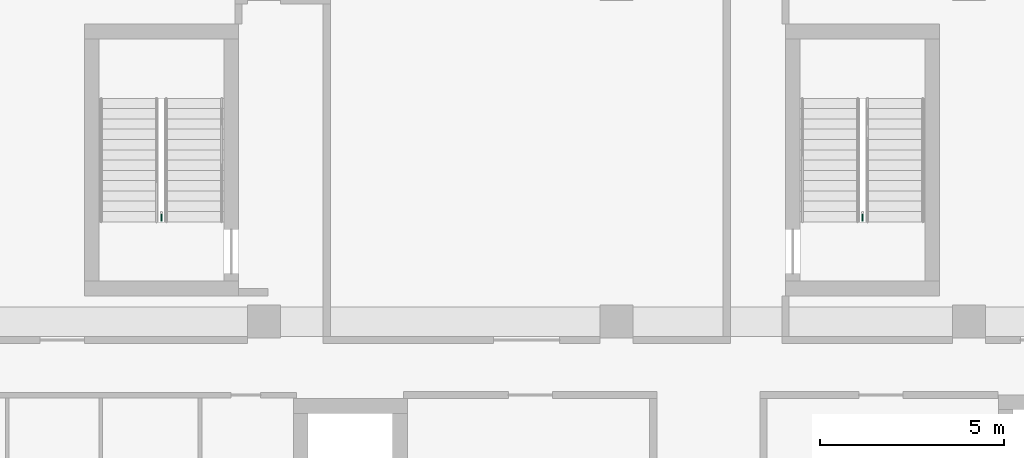
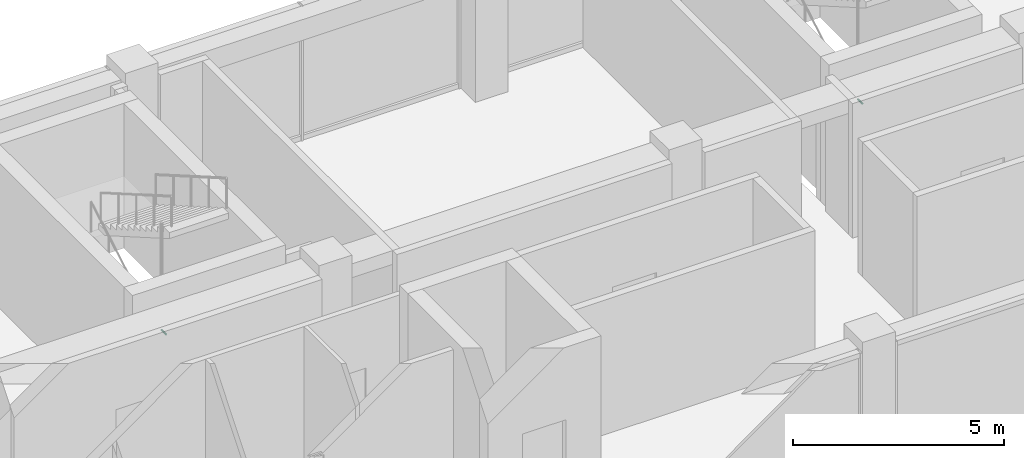
# One storey, part 37 of 37: 2 pipe fittings.
"""IFC4 building model written with IfcOpenShell, lengths in metres."""

from ifc_helpers import new_model, si_unit, direction, frame, origin, origin_2d, place, context, subcontext, project, spatial, circle, extrude, element, save


model = new_model("IFC4")

# Units and contexts
model_context = context("Model", 3, precision=1e-05, world=origin(), true_north=direction((0.0, 1.0)))
body_context = subcontext(model_context, "Body", "Model", "MODEL_VIEW")
ifc_project = project(units=[si_unit("LENGTHUNIT", "METRE"), si_unit("AREAUNIT", "SQUARE_METRE"), si_unit("VOLUMEUNIT", "CUBIC_METRE"), si_unit("PLANEANGLEUNIT", "RADIAN"), si_unit("MASSUNIT", "GRAM", prefix="KILO")], contexts=[model_context])

# Site, building, storey
site_placement = place(None, origin())
site = spatial("IfcSite", under=ifc_project, at=site_placement, CompositionType="ELEMENT")
building_placement = place(site_placement, origin())
building = spatial("IfcBuilding", under=site, at=building_placement, Name="Nzadi Deep Aquarium and Research Tower", CompositionType="ELEMENT")
storey_placement = place(building_placement, frame((0.0, 0.0, 57.10009765625)))
storey = spatial("IfcBuildingStorey", under=building, at=storey_placement, Name="L11", CompositionType="ELEMENT", Elevation=57.10009765625)

# Pipe fittings
for number, where, z_axis, x_axis, name in (
    (1, (6.800048828125, 39.77001953125, 1.099853515625), (0.0, -1.0, 0.0), (1.0, 0.0, 0.0), "Dry riser outlet ST-Z1-NW L11"),
    (2, (25.89990234375, 39.77001953125, 1.099853515625), (0.0, -1.0, 0.0), (1.0, 0.0, 0.0), "Dry riser outlet ST-Z1-NE L11"),
):
    element("IfcPipeFitting", number, at=place(storey_placement, frame(where, z_axis=z_axis, x_axis=x_axis)), inside=storey, Name=name, PredefinedType="EXIT", context=body_context, shape_type="SweptSolid", body=[
        extrude(circle(Radius=0.0224609375, at=origin_2d()), origin(), (0.0, 0.0, 1.0), 0.22998046875),
    ])

save(model, "model.ifc")
